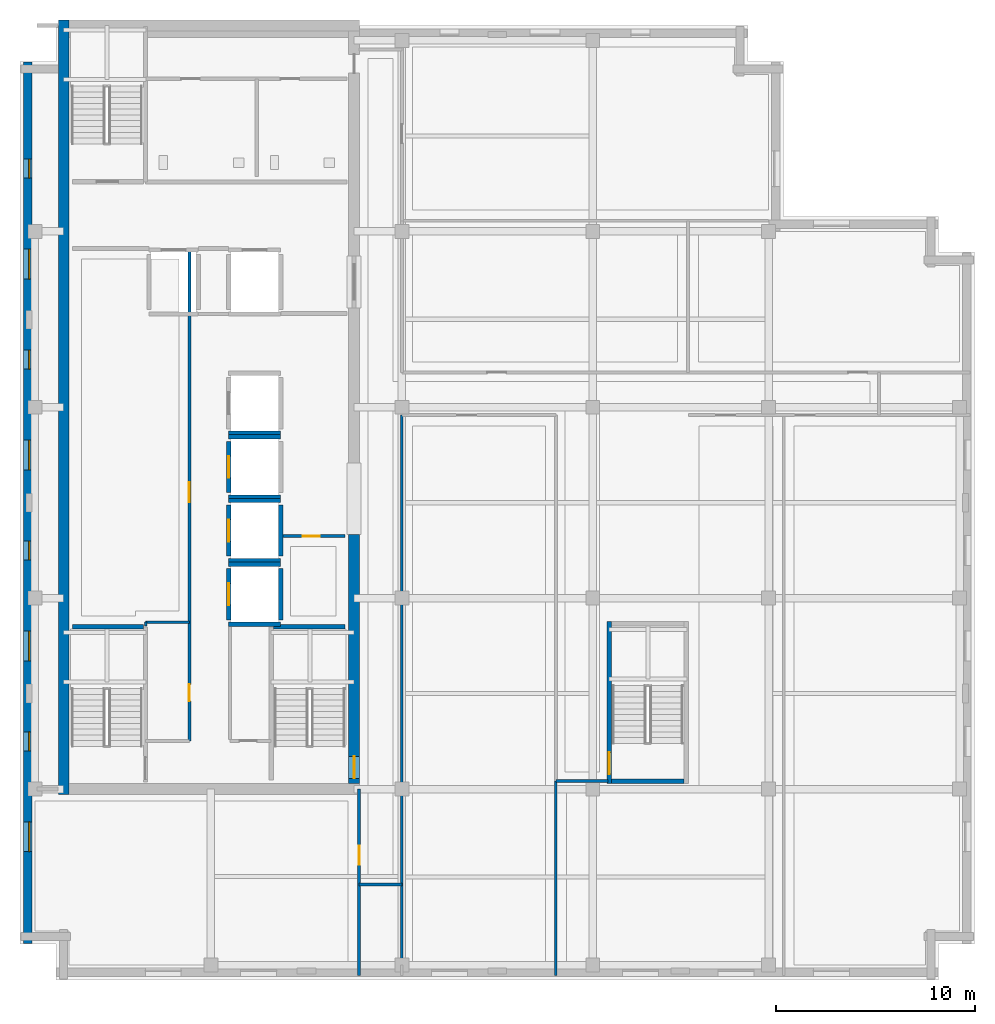
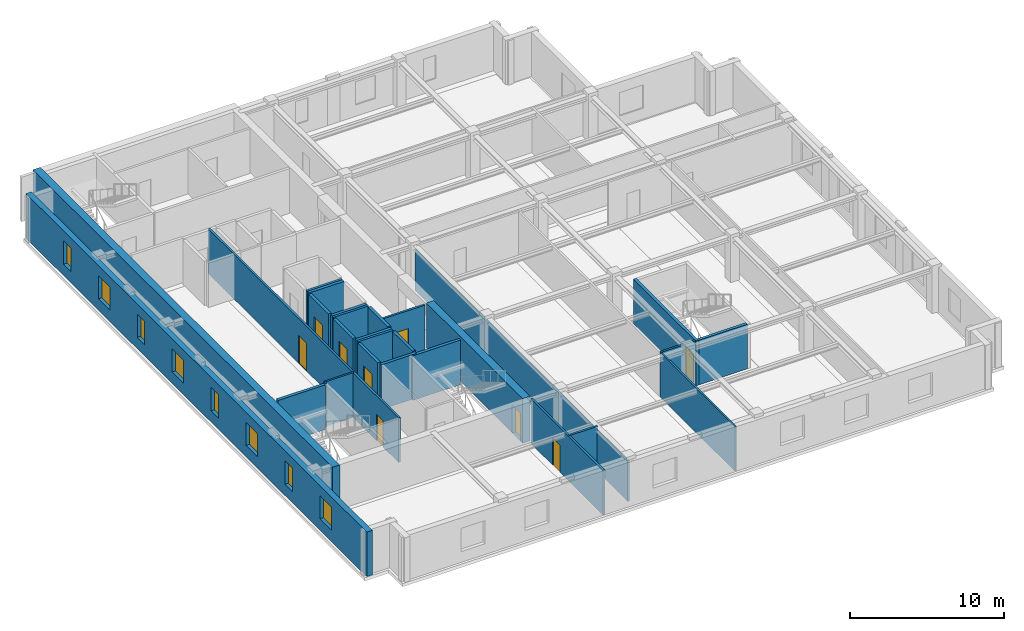
# One storey, part 3 of 10: 28 walls, 9 doors, 8 windows, 17 openings.
"""IFC4 building model written with IfcOpenShell, lengths in metres."""

import ifcopenshell
import ifcopenshell.guid

model = None  # the IFC model being written
_history = None  # IfcOwnerHistory: only IFC2X3 demands one
_inside = {}  # id of a spatial element -> (the spatial element, [elements in it])
_under = {}  # id of a project, library or spatial element -> (it, [spatial elements below it])
_declared = {}  # id of a project -> (the project, [libraries it declares])
_typed = {}  # id of a type object -> (the type object, [elements of that type])
_made_of = {}  # id of a material, layer set ... -> (it, [elements and type objects made of it])


def new_model(schema):
    """Start an empty IFC model of exactly this schema.

    Asked for "IFC4X3", IfcOpenShell would pick the latest addendum, in which some entities
    have other attributes; the version numbers below select the first issue.
    IFC2X3 requires an IfcOwnerHistory on every rooted entity: one is made here for all.
    """
    global model, _history
    if schema == "IFC4X3":
        model = ifcopenshell.file(schema_version=(4, 3, 0, 0))
    else:
        model = ifcopenshell.file(schema=schema)
    _inside.clear()
    _under.clear()
    _declared.clear()
    _typed.clear()
    _made_of.clear()
    _history = None
    if model.schema == "IFC2X3":
        org = make("IfcOrganization", Name="unknown")
        user = make(
            "IfcPersonAndOrganization",
            ThePerson=make("IfcPerson", FamilyName="unknown"),
            TheOrganization=org,
        )
        app = make(
            "IfcApplication",
            ApplicationDeveloper=org,
            Version="unknown",
            ApplicationFullName="unknown",
            ApplicationIdentifier="unknown",
        )
        _history = make(
            "IfcOwnerHistory",
            OwningUser=user,
            OwningApplication=app,
            ChangeAction="ADDED",
            CreationDate=0,
        )
    return model


def make(cls, **values):
    """One entity of the class cls with the attributes given. An attribute that is None is left unset."""
    return model.create_entity(
        cls, **{name: value for name, value in values.items() if value is not None}
    )


def rooted(cls, **values):
    """An entity with a GlobalId (a new one), such as an element, a storey or a relation."""
    return make(cls, GlobalId=ifcopenshell.guid.new(), OwnerHistory=_history, **values)


def si_unit(unit_type, name, prefix=None):
    """IfcSIUnit, for example si_unit("LENGTHUNIT", "METRE", prefix="MILLI")."""
    return make("IfcSIUnit", UnitType=unit_type, Prefix=prefix, Name=name)


def assignment(units):
    """IfcUnitAssignment: the units of a project."""
    return None if units is None else make("IfcUnitAssignment", Units=units)


def point(xyz):
    """IfcCartesianPoint."""
    return None if xyz is None else make("IfcCartesianPoint", Coordinates=xyz)


def direction(xyz):
    """IfcDirection."""
    return None if xyz is None else make("IfcDirection", DirectionRatios=xyz)


def frame(location, z_axis=None, x_axis=None):
    """IfcAxis2Placement3D, a coordinate frame: its origin and axes. An axis left out is left unset."""
    return make(
        "IfcAxis2Placement3D",
        Location=point(location),
        Axis=direction(z_axis),
        RefDirection=direction(x_axis),
    )


def frame_2d(location, x_axis=None):
    """IfcAxis2Placement2D, a coordinate frame in the plane: its origin and x axis."""
    return make(
        "IfcAxis2Placement2D", Location=point(location), RefDirection=direction(x_axis)
    )


def origin():
    """The frame at (0, 0, 0) with its axes left unset."""
    return frame((0.0, 0.0, 0.0))


def place(relative_to, where):
    """IfcLocalPlacement: puts the frame where relative to a parent placement (None: the world)."""
    return make(
        "IfcLocalPlacement", PlacementRelTo=relative_to, RelativePlacement=where
    )


def context(
    kind, dimensions, precision=None, world=None, true_north=None, identifier=None
):
    """IfcGeometricRepresentationContext, for example the 3D "Model" context."""
    return make(
        "IfcGeometricRepresentationContext",
        ContextIdentifier=identifier,
        ContextType=kind,
        CoordinateSpaceDimension=dimensions,
        Precision=precision,
        WorldCoordinateSystem=world,
        TrueNorth=true_north,
    )


def subcontext(parent, identifier, kind, view, scale=None):
    """IfcGeometricRepresentationSubContext, for example "Body" below "Model"."""
    return make(
        "IfcGeometricRepresentationSubContext",
        ContextIdentifier=identifier,
        ContextType=kind,
        ParentContext=parent,
        TargetScale=scale,
        TargetView=view,
    )


def project(units=None, contexts=None):
    """IfcProject with its units and contexts."""
    return rooted(
        "IfcProject",
        Name="project",
        RepresentationContexts=contexts,
        UnitsInContext=assignment(units),
    )


def spatial(cls, under=None, at=None, **own):
    """A site, building, storey or space (cls), placed at a placement, below another one or the project."""
    s = rooted(cls, ObjectPlacement=at, **own)
    if under is not None:
        _under.setdefault(under.id(), (under, []))[1].append(s)
    return s


def profile(cls, at=None, kind="AREA", **sizes):
    """A parametric profile (cls). Its sizes go by their IFC names, for example OverallWidth=200.0."""
    return make(cls, ProfileType=kind, Position=at, **sizes)


def rectangle(**sizes):
    """IfcRectangleProfileDef."""
    return profile("IfcRectangleProfileDef", **sizes)


def extrude(swept, where, along, depth):
    """IfcExtrudedAreaSolid: the profile swept, set in the frame where, extruded along a direction by depth."""
    return make(
        "IfcExtrudedAreaSolid",
        SweptArea=swept,
        Position=where,
        ExtrudedDirection=direction(along),
        Depth=depth,
    )


def shape(context_of_items, identifier, shape_type, items):
    """IfcShapeRepresentation: the items that make up one representation, for example the "Body"."""
    return make(
        "IfcShapeRepresentation",
        ContextOfItems=context_of_items,
        RepresentationIdentifier=identifier,
        RepresentationType=shape_type,
        Items=items,
    )


def material(Name=None, Category=None):
    """IfcMaterial."""
    return make("IfcMaterial", Name=Name, Category=Category)


def layer(
    of_material, thickness, ventilated=None, Name=None, Category=None, Priority=None
):
    """IfcMaterialLayer: one layer of a wall or slab, of a material (None: an air gap)."""
    return make(
        "IfcMaterialLayer",
        Material=of_material,
        LayerThickness=thickness,
        IsVentilated=ventilated,
        Name=Name,
        Category=Category,
        Priority=Priority,
    )


def layer_set(layers, Name=None):
    """IfcMaterialLayerSet."""
    return make("IfcMaterialLayerSet", MaterialLayers=layers, LayerSetName=Name)


def made_of(thing, what):
    """Note that an element or type object is made of a material, layer set ...; save() writes the relation."""
    if what is not None:
        _made_of.setdefault(what.id(), (what, []))[1].append(thing)
    return thing


def type_object(cls, material=None, **own):
    """A type object (cls), such as IfcWallType, which elements share."""
    return made_of(rooted(cls, **own), material)


def element(
    cls,
    number,
    at=None,
    inside=None,
    cuts=None,
    type_object=None,
    material=None,
    context=None,
    identifier="Body",
    shape_type=None,
    held_by="IfcProductDefinitionShape",
    body=None,
    shapes=None,
    **own,
):
    """One element of the class cls, such as IfcWall. Its Tag is "e" and its number.

    at: its placement. inside: the storey or other place that contains it. cuts: it is an
    opening in that element (IfcRelVoidsElement). A single representation is given by context,
    identifier, shape_type and body (its items); several are given by shapes. held_by: the class
    of the entity that holds the representations. save() writes the other relations.
    """
    e = rooted(cls, Tag="e%d" % number, ObjectPlacement=at, **own)
    if body is not None:
        shapes = [shape(context, identifier, shape_type, body)]
    if shapes is not None:
        e.Representation = make(held_by, Representations=shapes)
    if inside is not None:
        _inside.setdefault(inside.id(), (inside, []))[1].append(e)
    if cuts is not None:
        rooted(
            "IfcRelVoidsElement", RelatingBuildingElement=cuts, RelatedOpeningElement=e
        )
    if type_object is not None:
        _typed.setdefault(type_object.id(), (type_object, []))[1].append(e)
    return made_of(e, material)


def fill(opening, filler):
    """IfcRelFillsElement: the door or window that sits in an opening."""
    return rooted(
        "IfcRelFillsElement",
        RelatingOpeningElement=opening,
        RelatedBuildingElement=filler,
    )


def aggregate(whole, parts):
    """IfcRelAggregates: a whole, such as a stair, and the parts it consists of."""
    return rooted("IfcRelAggregates", RelatingObject=whole, RelatedObjects=parts)


def save(model, path):
    """Write the relations noted so far, then the file.

    IfcRelAggregates (storeys below a building ...), IfcRelContainedInSpatialStructure (elements
    in a storey), IfcRelDefinesByType, IfcRelAssociatesMaterial and IfcRelDeclares: one each for
    every whole, place, type object, material and project.
    """
    for whole, parts in _under.values():
        aggregate(whole, parts)
    for where, things in _inside.values():
        rooted(
            "IfcRelContainedInSpatialStructure",
            RelatedElements=things,
            RelatingStructure=where,
        )
    for kind, things in _typed.values():
        rooted("IfcRelDefinesByType", RelatedObjects=things, RelatingType=kind)
    for what, things in _made_of.values():
        rooted("IfcRelAssociatesMaterial", RelatedObjects=things, RelatingMaterial=what)
    for by, libraries in _declared.values():
        rooted("IfcRelDeclares", RelatingContext=by, RelatedDefinitions=libraries)
    model.write(path)


model = new_model("IFC4")

# Units and contexts
model_context = context("Model", 3, precision=1e-05, world=origin(), true_north=direction((0.0, 1.0)))
body_context = subcontext(model_context, "Body", "Model", "MODEL_VIEW")
ifc_project = project(units=[si_unit("LENGTHUNIT", "METRE"), si_unit("AREAUNIT", "SQUARE_METRE"), si_unit("VOLUMEUNIT", "CUBIC_METRE"), si_unit("PLANEANGLEUNIT", "RADIAN"), si_unit("MASSUNIT", "GRAM", prefix="KILO")], contexts=[model_context])

# Site, building, storey
site_placement = place(None, origin())
site = spatial("IfcSite", under=ifc_project, at=site_placement, CompositionType="ELEMENT")
building_placement = place(site_placement, origin())
building = spatial("IfcBuilding", under=site, at=building_placement, Name="Norrvale University Quadrangle", CompositionType="ELEMENT")
storey_placement = place(building_placement, frame((0.0, 0.0, 292.39990234375)))
storey = spatial("IfcBuildingStorey", under=building, at=storey_placement, Name="L74", CompositionType="ELEMENT", Elevation=292.39990234375)

# Wall, openings, windows
ifc_material_1 = material(Name="Buff Norman Clay Brick Masonry", Category="masonry")
ifc_layer_1 = layer(ifc_material_1, 0.419921875, Name="Buff Norman Clay Brick Masonry")
ifc_layer_set_1 = layer_set([ifc_layer_1], Name="Buff Norman Clay Brick Masonry")
wall_type_1 = type_object("IfcWallType", Name="Wall Buff Brick 420", PredefinedType="SOLIDWALL", material=ifc_layer_set_1)
wall_1_placement = place(storey_placement, frame((0.389892578125, 46.159912109375, 0.0), z_axis=(0.0, 0.0, 1.0), x_axis=(0.0, -1.0, 0.0)))
wall_1 = element("IfcWall", 1, at=wall_1_placement, inside=storey, type_object=wall_type_1, Name="Exterior Brick Facade Wall L74-14.1", PredefinedType="SOLIDWALL", context=body_context, shape_type="SweptSolid", body=[
    extrude(rectangle(XDim=44.31982421875, YDim=0.419921875, at=frame_2d((22.159912109375, 0.0))), origin(), (0.0, 0.0, 1.0), 3.5400390625),
])
opening_1_placement = place(wall_1_placement, frame((4.885009765625, 0.0, 0.89990234375)))
opening_1 = element("IfcOpeningElement", 2, at=opening_1_placement, cuts=wall_1, Name="Opening W04", PredefinedType="OPENING", context=body_context, shape_type="SweptSolid", body=[
    extrude(rectangle(XDim=0.949951171875, YDim=1.85009765625, at=frame_2d((0.47509765625, 0.925048828125))), frame((0.0, 0.221923828125, 0.0), z_axis=(0.0, -1.0, 0.0), x_axis=(1.0, 0.0, 0.0)), (0.0, 0.0, 1.0), 0.44384765625),
])
opening_2_placement = place(wall_1_placement, frame((9.409912109375, 0.0, 0.89990234375)))
opening_2 = element("IfcOpeningElement", 3, at=opening_2_placement, cuts=wall_1, Name="Opening W03", PredefinedType="OPENING", context=body_context, shape_type="SweptSolid", body=[
    extrude(rectangle(XDim=1.5, YDim=1.85009765625, at=frame_2d((0.75, 0.925048828125))), frame((0.0, 0.221923828125, 0.0), z_axis=(0.0, -1.0, 0.0), x_axis=(1.0, 0.0, 0.0)), (0.0, 0.0, 1.0), 0.44384765625),
])
opening_3_placement = place(wall_1_placement, frame((14.485107421875, 0.0, 0.89990234375)))
opening_3 = element("IfcOpeningElement", 4, at=opening_3_placement, cuts=wall_1, Name="Opening W04", PredefinedType="OPENING", context=body_context, shape_type="SweptSolid", body=[
    extrude(rectangle(XDim=0.949951171875, YDim=1.85009765625, at=frame_2d((0.47509765625, 0.925048828125))), frame((0.0, 0.221923828125, 0.0), z_axis=(0.0, -1.0, 0.0), x_axis=(1.0, 0.0, 0.0)), (0.0, 0.0, 1.0), 0.44384765625),
])
opening_4_placement = place(wall_1_placement, frame((19.010009765625, 0.0, 0.89990234375)))
opening_4 = element("IfcOpeningElement", 5, at=opening_4_placement, cuts=wall_1, Name="Opening W03", PredefinedType="OPENING", context=body_context, shape_type="SweptSolid", body=[
    extrude(rectangle(XDim=1.5, YDim=1.85009765625, at=frame_2d((0.75, 0.925048828125))), frame((0.0, 0.221923828125, 0.0), z_axis=(0.0, -1.0, 0.0), x_axis=(1.0, 0.0, 0.0)), (0.0, 0.0, 1.0), 0.44384765625),
])
opening_5_placement = place(wall_1_placement, frame((24.0849609375, 0.0, 0.89990234375)))
opening_5 = element("IfcOpeningElement", 6, at=opening_5_placement, cuts=wall_1, Name="Opening W04", PredefinedType="OPENING", context=body_context, shape_type="SweptSolid", body=[
    extrude(rectangle(XDim=0.949951171875, YDim=1.85009765625, at=frame_2d((0.47509765625, 0.925048828125))), frame((0.0, 0.221923828125, 0.0), z_axis=(0.0, -1.0, 0.0), x_axis=(1.0, 0.0, 0.0)), (0.0, 0.0, 1.0), 0.44384765625),
])
opening_6_placement = place(wall_1_placement, frame((28.610107421875, 0.0, 0.89990234375)))
opening_6 = element("IfcOpeningElement", 7, at=opening_6_placement, cuts=wall_1, Name="Opening W03", PredefinedType="OPENING", context=body_context, shape_type="SweptSolid", body=[
    extrude(rectangle(XDim=1.5, YDim=1.85009765625, at=frame_2d((0.75, 0.925048828125))), frame((0.0, 0.221923828125, 0.0), z_axis=(0.0, -1.0, 0.0), x_axis=(1.0, 0.0, 0.0)), (0.0, 0.0, 1.0), 0.44384765625),
])
opening_7_placement = place(wall_1_placement, frame((33.68505859375, 0.0, 0.89990234375)))
opening_7 = element("IfcOpeningElement", 8, at=opening_7_placement, cuts=wall_1, Name="Opening W04", PredefinedType="OPENING", context=body_context, shape_type="SweptSolid", body=[
    extrude(rectangle(XDim=0.949951171875, YDim=1.85009765625, at=frame_2d((0.47509765625, 0.925048828125))), frame((0.0, 0.221923828125, 0.0), z_axis=(0.0, -1.0, 0.0), x_axis=(1.0, 0.0, 0.0)), (0.0, 0.0, 1.0), 0.44384765625),
])
opening_8_placement = place(wall_1_placement, frame((38.2099609375, 0.0, 0.89990234375)))
opening_8 = element("IfcOpeningElement", 9, at=opening_8_placement, cuts=wall_1, Name="Opening W03", PredefinedType="OPENING", context=body_context, shape_type="SweptSolid", body=[
    extrude(rectangle(XDim=1.5, YDim=1.85009765625, at=frame_2d((0.75, 0.925048828125))), frame((0.0, 0.221923828125, 0.0), z_axis=(0.0, -1.0, 0.0), x_axis=(1.0, 0.0, 0.0)), (0.0, 0.0, 1.0), 0.44384765625),
])
ifc_material_2 = material(Name="Triple Low-E Argon Glazing", Category="glass")
window_type_1 = type_object("IfcWindowType", Name="Window Narrow Pier 950x2300", PartitioningType="SINGLE_PANEL", PredefinedType="WINDOW", material=ifc_material_2)
window_1_placement = place(opening_1_placement, origin())
window_1 = element("IfcWindow", 10, at=window_1_placement, inside=storey, type_object=window_type_1, Name="Window Narrow Pier 950x2300 WIN-L74-E14-1-01", OverallHeight=1.85009765625, OverallWidth=0.949951171875, PartitioningType="SINGLE_PANEL", PredefinedType="WINDOW", context=body_context, shape_type="SweptSolid", body=[
    extrude(rectangle(XDim=0.949951171875, YDim=1.85009765625, at=frame_2d((0.47509765625, 0.925048828125))), frame((0.0, 0.110107421875, 0.0), z_axis=(0.0, -1.0, 0.0), x_axis=(1.0, 0.0, 0.0)), (0.0, 0.0, 1.0), 0.06005859375),
])
fill(opening_1, window_1)
window_2_placement = place(opening_3_placement, origin())
window_2 = element("IfcWindow", 11, at=window_2_placement, inside=storey, type_object=window_type_1, Name="Window Narrow Pier 950x2300 WIN-L74-E14-1-03", OverallHeight=1.85009765625, OverallWidth=0.949951171875, PartitioningType="SINGLE_PANEL", PredefinedType="WINDOW", context=body_context, shape_type="SweptSolid", body=[
    extrude(rectangle(XDim=0.949951171875, YDim=1.85009765625, at=frame_2d((0.47509765625, 0.925048828125))), frame((0.0, 0.110107421875, 0.0), z_axis=(0.0, -1.0, 0.0), x_axis=(1.0, 0.0, 0.0)), (0.0, 0.0, 1.0), 0.06005859375),
])
fill(opening_3, window_2)
window_3_placement = place(opening_5_placement, origin())
window_3 = element("IfcWindow", 12, at=window_3_placement, inside=storey, type_object=window_type_1, Name="Window Narrow Pier 950x2300 WIN-L74-E14-1-05", OverallHeight=1.85009765625, OverallWidth=0.949951171875, PartitioningType="SINGLE_PANEL", PredefinedType="WINDOW", context=body_context, shape_type="SweptSolid", body=[
    extrude(rectangle(XDim=0.949951171875, YDim=1.85009765625, at=frame_2d((0.47509765625, 0.925048828125))), frame((0.0, 0.110107421875, 0.0), z_axis=(0.0, -1.0, 0.0), x_axis=(1.0, 0.0, 0.0)), (0.0, 0.0, 1.0), 0.06005859375),
])
fill(opening_5, window_3)
window_4_placement = place(opening_7_placement, origin())
window_4 = element("IfcWindow", 13, at=window_4_placement, inside=storey, type_object=window_type_1, Name="Window Narrow Pier 950x2300 WIN-L74-E14-1-07", OverallHeight=1.85009765625, OverallWidth=0.949951171875, PartitioningType="SINGLE_PANEL", PredefinedType="WINDOW", context=body_context, shape_type="SweptSolid", body=[
    extrude(rectangle(XDim=0.949951171875, YDim=1.85009765625, at=frame_2d((0.47509765625, 0.925048828125))), frame((0.0, 0.110107421875, 0.0), z_axis=(0.0, -1.0, 0.0), x_axis=(1.0, 0.0, 0.0)), (0.0, 0.0, 1.0), 0.06005859375),
])
fill(opening_7, window_4)
window_type_2 = type_object("IfcWindowType", Name="Window Studio 1500x2300", PartitioningType="DOUBLE_PANEL_VERTICAL", PredefinedType="WINDOW", material=ifc_material_2)
window_5_placement = place(opening_2_placement, origin())
window_5 = element("IfcWindow", 14, at=window_5_placement, inside=storey, type_object=window_type_2, Name="Window Studio 1500x2300 WIN-L74-E14-1-02", OverallHeight=1.85009765625, OverallWidth=1.5, PartitioningType="DOUBLE_PANEL_VERTICAL", PredefinedType="WINDOW", context=body_context, shape_type="SweptSolid", body=[
    extrude(rectangle(XDim=1.5, YDim=1.85009765625, at=frame_2d((0.75, 0.925048828125))), frame((0.0, 0.110107421875, 0.0), z_axis=(0.0, -1.0, 0.0), x_axis=(1.0, 0.0, 0.0)), (0.0, 0.0, 1.0), 0.06005859375),
])
fill(opening_2, window_5)
window_6_placement = place(opening_4_placement, origin())
window_6 = element("IfcWindow", 15, at=window_6_placement, inside=storey, type_object=window_type_2, Name="Window Studio 1500x2300 WIN-L74-E14-1-04", OverallHeight=1.85009765625, OverallWidth=1.5, PartitioningType="DOUBLE_PANEL_VERTICAL", PredefinedType="WINDOW", context=body_context, shape_type="SweptSolid", body=[
    extrude(rectangle(XDim=1.5, YDim=1.85009765625, at=frame_2d((0.75, 0.925048828125))), frame((0.0, 0.110107421875, 0.0), z_axis=(0.0, -1.0, 0.0), x_axis=(1.0, 0.0, 0.0)), (0.0, 0.0, 1.0), 0.06005859375),
])
fill(opening_4, window_6)
window_7_placement = place(opening_6_placement, origin())
window_7 = element("IfcWindow", 16, at=window_7_placement, inside=storey, type_object=window_type_2, Name="Window Studio 1500x2300 WIN-L74-E14-1-06", OverallHeight=1.85009765625, OverallWidth=1.5, PartitioningType="DOUBLE_PANEL_VERTICAL", PredefinedType="WINDOW", context=body_context, shape_type="SweptSolid", body=[
    extrude(rectangle(XDim=1.5, YDim=1.85009765625, at=frame_2d((0.75, 0.925048828125))), frame((0.0, 0.110107421875, 0.0), z_axis=(0.0, -1.0, 0.0), x_axis=(1.0, 0.0, 0.0)), (0.0, 0.0, 1.0), 0.06005859375),
])
fill(opening_6, window_7)
window_8_placement = place(opening_8_placement, origin())
window_8 = element("IfcWindow", 17, at=window_8_placement, inside=storey, type_object=window_type_2, Name="Window Studio 1500x2300 WIN-L74-E14-1-08", OverallHeight=1.85009765625, OverallWidth=1.5, PartitioningType="DOUBLE_PANEL_VERTICAL", PredefinedType="WINDOW", context=body_context, shape_type="SweptSolid", body=[
    extrude(rectangle(XDim=1.5, YDim=1.85009765625, at=frame_2d((0.75, 0.925048828125))), frame((0.0, 0.110107421875, 0.0), z_axis=(0.0, -1.0, 0.0), x_axis=(1.0, 0.0, 0.0)), (0.0, 0.0, 1.0), 0.06005859375),
])
fill(opening_8, window_8)

# Wall
ifc_material_3 = material(Name="Concrete C60/75", Category="concrete")
ifc_layer_2 = layer(ifc_material_3, 0.550048828125, Name="Concrete C60/75")
ifc_layer_set_2 = layer_set([ifc_layer_2], Name="Concrete C60/75")
wall_type_2 = type_object("IfcWallType", Name="Wall Core 550", PredefinedType="SHEAR", material=ifc_layer_set_2)
wall_2_placement = place(storey_placement, frame((2.199951171875, 9.324951171875, 0.0), z_axis=(0.0, 0.0, 1.0), x_axis=(0.0, 1.0, 0.0)))
element("IfcWall", 18, at=wall_2_placement, inside=storey, type_object=wall_type_2, Name="Tower Core Shear Wall L74-W", PredefinedType="SHEAR", context=body_context, shape_type="SweptSolid", body=[
    extrude(rectangle(XDim=38.949951171875, YDim=0.550048828125, at=frame_2d((19.47509765625, 0.0))), origin(), (0.0, 0.0, 1.0), 3.5400390625),
])

# Wall, opening, door
wall_3_placement = place(storey_placement, frame((16.800048828125, 9.875, 0.0), z_axis=(0.0, 0.0, 1.0), x_axis=(0.0, 1.0, 0.0)))
wall_3 = element("IfcWall", 19, at=wall_3_placement, inside=storey, type_object=wall_type_2, Name="Tower Core Shear Wall L74-E1", PredefinedType="SHEAR", context=body_context, shape_type="SweptSolid", body=[
    extrude(rectangle(XDim=12.52490234375, YDim=0.550048828125, at=frame_2d((6.262451171875, 0.0))), origin(), (0.0, 0.0, 1.0), 3.5400390625),
])
opening_9_placement = place(wall_3_placement, frame((0.264892578125, 0.0, 0.0)))
opening_9 = element("IfcOpeningElement", 20, at=opening_9_placement, cuts=wall_3, Name="Opening D02", PredefinedType="OPENING", context=body_context, shape_type="SweptSolid", body=[
    extrude(rectangle(XDim=1.10009765625, YDim=2.199951171875, at=frame_2d((0.550048828125, 1.10009765625))), frame((0.0, 0.287109375, 0.0), z_axis=(0.0, -1.0, 0.0), x_axis=(1.0, 0.0, 0.0)), (0.0, 0.0, 1.0), 0.573974609375),
])
ifc_material_4 = material(Name="Hollow Steel 350W Fire Door", Category="steel")
door_type_1 = type_object("IfcDoorType", Name="Door Stair Exit 1100x2200", OperationType="NOTDEFINED", PredefinedType="DOOR", material=ifc_material_4)
door_1_placement = place(opening_9_placement, origin())
door_1 = element("IfcDoor", 21, at=door_1_placement, inside=storey, type_object=door_type_1, Name="Door Stair Exit 1100x2200 DR-L74-ST03", OperationType="SINGLE_SWING_LEFT", OverallHeight=2.199951171875, OverallWidth=1.10009765625, PredefinedType="DOOR", context=body_context, shape_type="SweptSolid", body=[
    extrude(rectangle(XDim=1.10009765625, YDim=2.199951171875, at=frame_2d((0.550048828125, 1.10009765625))), frame((0.0, 0.02490234375, 0.0), z_axis=(0.0, -1.0, 0.0), x_axis=(1.0, 0.0, 0.0)), (0.0, 0.0, 1.0), 0.050048828125),
])
fill(opening_9, door_1)

# Walls
ifc_material_5 = material(Name="Standard Academic Gypsum Partition")
ifc_layer_3 = layer(ifc_material_5, 0.125, Name="Standard Academic Gypsum Partition")
ifc_layer_set_3 = layer_set([ifc_layer_3], Name="Standard Academic Gypsum Partition")
wall_type_3 = type_object("IfcWallType", Name="Wall Gypsum Academic 125", PredefinedType="PARTITIONING", material=ifc_layer_set_3)
wall_4_placement = place(storey_placement, frame((6.320068359375, 17.800048828125, 0.0), z_axis=(0.0, 0.0, 1.0), x_axis=(0.0, 1.0, 0.0)))
element("IfcWall", 22, at=wall_4_placement, inside=storey, type_object=wall_type_3, Name="Interior Partition WL-L74-REC-L1", PredefinedType="PARTITIONING", context=body_context, shape_type="SweptSolid", body=[
    extrude(rectangle(XDim=0.199951171875, YDim=0.125, at=frame_2d((0.10009765625, 0.0))), origin(), (0.0, 0.0, 1.0), 3.5400390625),
])
wall_5_placement = place(storey_placement, frame((6.320068359375, 18.0, 0.0), z_axis=(0.0, 0.0, 1.0), x_axis=(1.0, 0.0, 0.0)))
element("IfcWall", 23, at=wall_5_placement, inside=storey, type_object=wall_type_3, Name="Interior Partition WL-L74-REC-L2", PredefinedType="PARTITIONING", context=body_context, shape_type="SweptSolid", body=[
    extrude(rectangle(XDim=2.199951171875, YDim=0.125, at=frame_2d((1.10009765625, 0.0))), origin(), (0.0, 0.0, 1.0), 3.5400390625),
])
wall_6_placement = place(storey_placement, frame((19.199951171875, 0.75, 0.0), z_axis=(0.0, 0.0, 1.0), x_axis=(0.0, 1.0, 0.0)))
element("IfcWall", 24, at=wall_6_placement, inside=storey, type_object=wall_type_3, Name="Interior Partition WL-L74-SE-W0-B2", PredefinedType="PARTITIONING", context=body_context, shape_type="SweptSolid", body=[
    extrude(rectangle(XDim=27.64990234375, YDim=0.125, at=frame_2d((13.824951171875, 0.0))), origin(), (0.0, 0.0, 1.0), 3.18408203125),
])
wall_7_placement = place(storey_placement, frame((26.949951171875, 0.219970703125, 0.0), z_axis=(0.0, 0.0, 1.0), x_axis=(0.0, 1.0, 0.0)))
element("IfcWall", 25, at=wall_7_placement, inside=storey, type_object=wall_type_3, Name="Interior Partition WL-L74-SEP1A", PredefinedType="PARTITIONING", context=body_context, shape_type="SweptSolid", body=[
    extrude(rectangle(XDim=9.780029296875, YDim=0.125, at=frame_2d((4.89013671875, 0.0))), origin(), (0.0, 0.0, 1.0), 3.5400390625),
])

# Wall, opening, door
ifc_material_6 = material(Name="Fire-Rated Gypsum Stud Partition")
ifc_layer_4 = layer(ifc_material_6, 0.14990234375, Name="Fire-Rated Gypsum Stud Partition")
ifc_layer_set_4 = layer_set([ifc_layer_4], Name="Fire-Rated Gypsum Stud Partition")
wall_type_4 = type_object("IfcWallType", Name="Wall Gypsum Corridor 150", PredefinedType="PARTITIONING", material=ifc_layer_set_4)
wall_8_placement = place(storey_placement, frame((13.22509765625, 22.320068359375, 0.0), z_axis=(0.0, 0.0, 1.0), x_axis=(1.0, 0.0, 0.0)))
wall_8 = element("IfcWall", 26, at=wall_8_placement, inside=storey, type_object=wall_type_4, Name="Interior Partition WL-L74-JAN-N", PredefinedType="PARTITIONING", context=body_context, shape_type="SweptSolid", body=[
    extrude(rectangle(XDim=3.119873046875, YDim=0.14990234375, at=frame_2d((1.56005859375, 0.0))), origin(), (0.0, 0.0, 1.0), 3.5400390625),
])
opening_10_placement = place(wall_8_placement, frame((1.0, 0.0, 0.0)))
opening_10 = element("IfcOpeningElement", 27, at=opening_10_placement, cuts=wall_8, Name="Opening D10", PredefinedType="OPENING", context=body_context, shape_type="SweptSolid", body=[
    extrude(rectangle(XDim=0.85009765625, YDim=2.10009765625, at=frame_2d((0.425048828125, 1.050048828125))), frame((0.0, 0.0869140625, 0.0), z_axis=(0.0, -1.0, 0.0), x_axis=(1.0, 0.0, 0.0)), (0.0, 0.0, 1.0), 0.173828125),
])
ifc_material_7 = material(Name="Hollow Steel 350W Riser Fire Door", Category="steel")
door_type_2 = type_object("IfcDoorType", Name="Door Riser 850x2100", OperationType="NOTDEFINED", PredefinedType="DOOR", material=ifc_material_7)
door_2_placement = place(opening_10_placement, origin())
door_2 = element("IfcDoor", 28, at=door_2_placement, inside=storey, type_object=door_type_2, Name="Door Riser 850x2100 DR-L74-JAN", OperationType="SINGLE_SWING_LEFT", OverallHeight=2.10009765625, OverallWidth=0.85009765625, PredefinedType="DOOR", context=body_context, shape_type="SweptSolid", body=[
    extrude(rectangle(XDim=0.85009765625, YDim=2.10009765625, at=frame_2d((0.425048828125, 1.050048828125))), frame((0.0, 0.02490234375, 0.0), z_axis=(0.0, -1.0, 0.0), x_axis=(1.0, 0.0, 0.0)), (0.0, 0.0, 1.0), 0.050048828125),
])
fill(opening_10, door_2)

# Wall, openings, doors
wall_9_placement = place(storey_placement, frame((8.52001953125, 12.02001953125, 0.0), z_axis=(0.0, 0.0, 1.0), x_axis=(0.0, 1.0, 0.0)))
wall_9 = element("IfcWall", 29, at=wall_9_placement, inside=storey, type_object=wall_type_4, Name="Interior Partition WL-L74-REC-E", PredefinedType="PARTITIONING", context=body_context, shape_type="SweptSolid", body=[
    extrude(rectangle(XDim=24.760009765625, YDim=0.14990234375, at=frame_2d((12.3798828125, 0.0))), origin(), (0.0, 0.0, 1.0), 3.5400390625),
])
opening_11_placement = place(wall_9_placement, frame((2.0, 0.0, 0.0)))
opening_11 = element("IfcOpeningElement", 30, at=opening_11_placement, cuts=wall_9, Name="Opening D10", PredefinedType="OPENING", context=body_context, shape_type="SweptSolid", body=[
    extrude(rectangle(XDim=0.85009765625, YDim=2.10009765625, at=frame_2d((0.425048828125, 1.050048828125))), frame((0.0, 0.0869140625, 0.0), z_axis=(0.0, -1.0, 0.0), x_axis=(1.0, 0.0, 0.0)), (0.0, 0.0, 1.0), 0.173828125),
])
opening_12_placement = place(wall_9_placement, frame((12.0, 0.0, 0.0)))
opening_12 = element("IfcOpeningElement", 31, at=opening_12_placement, cuts=wall_9, Name="Opening D04", PredefinedType="OPENING", context=body_context, shape_type="SweptSolid", body=[
    extrude(rectangle(XDim=1.0, YDim=2.199951171875, at=frame_2d((0.5, 1.10009765625))), frame((0.0, 0.0869140625, 0.0), z_axis=(0.0, -1.0, 0.0), x_axis=(1.0, 0.0, 0.0)), (0.0, 0.0, 1.0), 0.173828125),
])
ifc_material_8 = material(Name="Solid-Core Oak Fire Door", Category="wood")
door_type_3 = type_object("IfcDoorType", Name="Door Corridor 1000x2200", OperationType="NOTDEFINED", PredefinedType="DOOR", material=ifc_material_8)
door_3_placement = place(opening_12_placement, origin())
door_3 = element("IfcDoor", 32, at=door_3_placement, inside=storey, type_object=door_type_3, Name="Door Corridor 1000x2200 DR-L74-REC2", OperationType="SINGLE_SWING_RIGHT", OverallHeight=2.199951171875, OverallWidth=1.0, PredefinedType="DOOR", context=body_context, shape_type="SweptSolid", body=[
    extrude(rectangle(XDim=1.0, YDim=2.199951171875, at=frame_2d((0.5, 1.10009765625))), frame((0.0, 0.02490234375, 0.0), z_axis=(0.0, -1.0, 0.0), x_axis=(1.0, 0.0, 0.0)), (0.0, 0.0, 1.0), 0.050048828125),
])
fill(opening_12, door_3)
door_4_placement = place(opening_11_placement, origin())
door_4 = element("IfcDoor", 33, at=door_4_placement, inside=storey, type_object=door_type_2, Name="Door Riser 850x2100 DR-L74-REC1", OperationType="SINGLE_SWING_LEFT", OverallHeight=2.10009765625, OverallWidth=0.85009765625, PredefinedType="DOOR", context=body_context, shape_type="SweptSolid", body=[
    extrude(rectangle(XDim=0.85009765625, YDim=2.10009765625, at=frame_2d((0.425048828125, 1.050048828125))), frame((0.0, 0.02490234375, 0.0), z_axis=(0.0, -1.0, 0.0), x_axis=(1.0, 0.0, 0.0)), (0.0, 0.0, 1.0), 0.050048828125),
])
fill(opening_11, door_4)

# Wall
wall_10_placement = place(storey_placement, frame((17.050048828125, 4.800048828125, 0.0), z_axis=(0.0, 0.0, 1.0), x_axis=(1.0, 0.0, 0.0)))
element("IfcWall", 34, at=wall_10_placement, inside=storey, type_object=wall_type_4, Name="Interior Partition WL-L74-CSP-S", PredefinedType="PARTITIONING", context=body_context, shape_type="SweptSolid", body=[
    extrude(rectangle(XDim=2.14990234375, YDim=0.14990234375, at=frame_2d((1.074951171875, 0.0))), origin(), (0.0, 0.0, 1.0), 3.5400390625),
])

# Wall, opening, door
wall_11_placement = place(storey_placement, frame((17.050048828125, 0.219970703125, 0.0), z_axis=(0.0, 0.0, 1.0), x_axis=(0.0, 1.0, 0.0)))
wall_11 = element("IfcWall", 35, at=wall_11_placement, inside=storey, type_object=wall_type_4, Name="Interior Partition WL-L74-SW-E", PredefinedType="PARTITIONING", context=body_context, shape_type="SweptSolid", body=[
    extrude(rectangle(XDim=9.380126953125, YDim=0.14990234375, at=frame_2d((4.68994140625, 0.0))), origin(), (0.0, 0.0, 1.0), 3.5400390625),
])
opening_13_placement = place(wall_11_placement, frame((5.580078125, 0.0, 0.0)))
opening_13 = element("IfcOpeningElement", 36, at=opening_13_placement, cuts=wall_11, Name="Opening D07", PredefinedType="OPENING", context=body_context, shape_type="SweptSolid", body=[
    extrude(rectangle(XDim=0.949951171875, YDim=2.14990234375, at=frame_2d((0.47509765625, 1.074951171875))), frame((0.0, 0.0869140625, 0.0), z_axis=(0.0, -1.0, 0.0), x_axis=(1.0, 0.0, 0.0)), (0.0, 0.0, 1.0), 0.173828125),
])
ifc_material_9 = material(Name="Solid-Core Maple Door", Category="wood")
door_type_4 = type_object("IfcDoorType", Name="Door Office 950x2150", OperationType="NOTDEFINED", PredefinedType="DOOR", material=ifc_material_9)
door_5_placement = place(opening_13_placement, origin())
door_5 = element("IfcDoor", 37, at=door_5_placement, inside=storey, type_object=door_type_4, Name="Door Office 950x2150 DR-L74-SW1", OperationType="SINGLE_SWING_LEFT", OverallHeight=2.14990234375, OverallWidth=0.949951171875, PredefinedType="DOOR", context=body_context, shape_type="SweptSolid", body=[
    extrude(rectangle(XDim=0.949951171875, YDim=2.14990234375, at=frame_2d((0.47509765625, 1.074951171875))), frame((0.0, 0.02490234375, 0.0), z_axis=(0.0, -1.0, 0.0), x_axis=(1.0, 0.0, 0.0)), (0.0, 0.0, 1.0), 0.050048828125),
])
fill(opening_13, door_5)

# Walls
wall_12_placement = place(storey_placement, frame((26.949951171875, 10.0, 0.0), z_axis=(0.0, 0.0, 1.0), x_axis=(1.0, 0.0, 0.0)))
element("IfcWall", 38, at=wall_12_placement, inside=storey, type_object=wall_type_4, Name="Interior Partition WL-L74-SEP1C", PredefinedType="PARTITIONING", context=body_context, shape_type="SweptSolid", body=[
    extrude(rectangle(XDim=2.630126953125, YDim=0.14990234375, at=frame_2d((1.31494140625, 0.0))), origin(), (0.0, 0.0, 1.0), 3.5400390625),
])
ifc_material_10 = material(Name="Concrete Blockwork 20 MPa Fire Shaft", Category="masonry")
ifc_layer_5 = layer(ifc_material_10, 0.219970703125, Name="Concrete Blockwork 20 MPa Fire Shaft")
ifc_layer_set_5 = layer_set([ifc_layer_5], Name="Concrete Blockwork 20 MPa Fire Shaft")
wall_type_5 = type_object("IfcWallType", Name="Wall Shaft 220", PredefinedType="SOLIDWALL", material=ifc_layer_set_5)
wall_13_placement = place(storey_placement, frame((2.64990234375, 17.760009765625, 0.0), z_axis=(0.0, 0.0, 1.0), x_axis=(1.0, 0.0, 0.0)))
element("IfcWall", 39, at=wall_13_placement, inside=storey, type_object=wall_type_5, Name="Stair ST-01 North Shaft Wall L74", PredefinedType="SOLIDWALL", context=body_context, shape_type="SweptSolid", body=[
    extrude(rectangle(XDim=3.550048828125, YDim=0.219970703125, at=frame_2d((1.77490234375, 0.0))), origin(), (0.0, 0.0, 1.0), 3.5400390625),
])
wall_14_placement = place(storey_placement, frame((12.75, 17.760009765625, 0.0), z_axis=(0.0, 0.0, 1.0), x_axis=(1.0, 0.0, 0.0)))
element("IfcWall", 40, at=wall_14_placement, inside=storey, type_object=wall_type_5, Name="Stair ST-03 North Shaft Wall L74", PredefinedType="SOLIDWALL", context=body_context, shape_type="SweptSolid", body=[
    extrude(rectangle(XDim=3.60009765625, YDim=0.219970703125, at=frame_2d((1.800048828125, 0.0))), origin(), (0.0, 0.0, 1.0), 3.5400390625),
])
wall_15_placement = place(storey_placement, frame((29.75, 9.989990234375, 0.0), z_axis=(0.0, 0.0, 1.0), x_axis=(1.0, 0.0, 0.0)))
element("IfcWall", 41, at=wall_15_placement, inside=storey, type_object=wall_type_5, Name="Stair ST-04 South Shaft Wall L74", PredefinedType="SOLIDWALL", context=body_context, shape_type="SweptSolid", body=[
    extrude(rectangle(XDim=3.64990234375, YDim=0.219970703125, at=frame_2d((1.824951171875, 0.0))), origin(), (0.0, 0.0, 1.0), 3.5400390625),
])

# Wall, opening, door
wall_16_placement = place(storey_placement, frame((29.639892578125, 9.8798828125, 0.0), z_axis=(0.0, 0.0, 1.0), x_axis=(0.0, 1.0, 0.0)))
wall_16 = element("IfcWall", 42, at=wall_16_placement, inside=storey, type_object=wall_type_5, Name="Stair ST-04 West Shaft Wall L74", PredefinedType="SOLIDWALL", context=body_context, shape_type="SweptSolid", body=[
    extrude(rectangle(XDim=8.14013671875, YDim=0.219970703125, at=frame_2d((4.070068359375, 0.0))), origin(), (0.0, 0.0, 1.0), 3.5400390625),
])
opening_14_placement = place(wall_16_placement, frame((0.469970703125, 0.0, 0.0)))
opening_14 = element("IfcOpeningElement", 43, at=opening_14_placement, cuts=wall_16, Name="Opening D02", PredefinedType="OPENING", context=body_context, shape_type="SweptSolid", body=[
    extrude(rectangle(XDim=1.10009765625, YDim=2.199951171875, at=frame_2d((0.550048828125, 1.10009765625))), frame((0.0, 0.1220703125, 0.0), z_axis=(0.0, -1.0, 0.0), x_axis=(1.0, 0.0, 0.0)), (0.0, 0.0, 1.0), 0.243896484375),
])
door_6_placement = place(opening_14_placement, frame((1.10009765625, 0.0, 0.0), z_axis=(0.0, 0.0, 1.0), x_axis=(-1.0, 0.0, 0.0)))
door_6 = element("IfcDoor", 44, at=door_6_placement, inside=storey, type_object=door_type_1, Name="Door Stair Exit 1100x2200 DR-L74-ST04", OperationType="SINGLE_SWING_RIGHT", OverallHeight=2.199951171875, OverallWidth=1.10009765625, PredefinedType="DOOR", context=body_context, shape_type="SweptSolid", body=[
    extrude(rectangle(XDim=1.10009765625, YDim=2.199951171875, at=frame_2d((0.550048828125, 1.10009765625))), frame((0.0, 0.02490234375, 0.0), z_axis=(0.0, -1.0, 0.0), x_axis=(1.0, 0.0, 0.0)), (0.0, 0.0, 1.0), 0.050048828125),
])
fill(opening_14, door_6)

wall_17_placement = place(storey_placement, frame((10.489990234375, 18.110107421875, 0.0), z_axis=(0.0, 0.0, 1.0), x_axis=(0.0, 1.0, 0.0)))
wall_17 = element("IfcWall", 45, at=wall_17_placement, inside=storey, type_object=wall_type_5, Name="Hoistway PL-05 West Wall L74", PredefinedType="SOLIDWALL", context=body_context, shape_type="SweptSolid", body=[
    extrude(rectangle(XDim=2.579833984375, YDim=0.219970703125, at=frame_2d((1.2900390625, 0.0))), origin(), (0.0, 0.0, 1.0), 3.5400390625),
])
opening_15_placement = place(wall_17_placement, frame((0.739990234375, 0.0, 0.0)))
opening_15 = element("IfcOpeningElement", 46, at=opening_15_placement, cuts=wall_17, Name="Opening LD1", PredefinedType="OPENING", context=body_context, shape_type="SweptSolid", body=[
    extrude(rectangle(XDim=1.10009765625, YDim=2.199951171875, at=frame_2d((0.550048828125, 1.10009765625))), frame((0.0, 0.1220703125, 0.0), z_axis=(0.0, -1.0, 0.0), x_axis=(1.0, 0.0, 0.0)), (0.0, 0.0, 1.0), 0.243896484375),
])
ifc_material_11 = material(Name="Stainless Steel 316L Lift Landing Door", Category="steel")
door_type_5 = type_object("IfcDoorType", Name="Door Lift Landing 1100x2200", OperationType="DOUBLE_DOOR_SLIDING", PredefinedType="DOOR", material=ifc_material_11)
door_7_placement = place(opening_15_placement, origin())
door_7 = element("IfcDoor", 47, at=door_7_placement, inside=storey, type_object=door_type_5, Name="Elevator Landing Door DR-L74-PL-05", OperationType="DOUBLE_DOOR_SLIDING", OverallHeight=2.199951171875, OverallWidth=1.10009765625, PredefinedType="DOOR", context=body_context, shape_type="SweptSolid", body=[
    extrude(rectangle(XDim=1.10009765625, YDim=2.199951171875, at=frame_2d((0.550048828125, 1.10009765625))), frame((0.0, 0.02490234375, 0.0), z_axis=(0.0, -1.0, 0.0), x_axis=(1.0, 0.0, 0.0)), (0.0, 0.0, 1.0), 0.050048828125),
])
fill(opening_15, door_7)

# Walls
wall_18_placement = place(storey_placement, frame((13.110107421875, 18.110107421875, 0.0), z_axis=(0.0, 0.0, 1.0), x_axis=(0.0, 1.0, 0.0)))
element("IfcWall", 48, at=wall_18_placement, inside=storey, type_object=wall_type_5, Name="Hoistway PL-05 East Wall L74", PredefinedType="SOLIDWALL", context=body_context, shape_type="SweptSolid", body=[
    extrude(rectangle(XDim=2.579833984375, YDim=0.219970703125, at=frame_2d((1.2900390625, 0.0))), origin(), (0.0, 0.0, 1.0), 3.5400390625),
])
for number, where, z_axis, x_axis, name in (
    (49, (10.489990234375, 17.889892578125, 0.0), (0.0, 0.0, 1.0), (1.0, 0.0, 0.0), "Hoistway PL-05 South Wall L74"),
    (50, (10.489990234375, 20.909912109375, 0.0), (0.0, 0.0, 1.0), (1.0, 0.0, 0.0), "Hoistway PL-05 North Wall L74"),
):
    element("IfcWall", number, at=place(storey_placement, frame(where, z_axis=z_axis, x_axis=x_axis)), inside=storey, type_object=wall_type_5, Name=name, PredefinedType="SOLIDWALL", context=body_context, shape_type="SweptSolid", body=[
        extrude(rectangle(XDim=2.6201171875, YDim=0.219970703125, at=frame_2d((1.31005859375, 0.0))), origin(), (0.0, 0.0, 1.0), 3.5400390625),
    ])

# Wall, opening, door
wall_19_placement = place(storey_placement, frame((10.489990234375, 21.31005859375, 0.0), z_axis=(0.0, 0.0, 1.0), x_axis=(0.0, 1.0, 0.0)))
wall_19 = element("IfcWall", 51, at=wall_19_placement, inside=storey, type_object=wall_type_5, Name="Hoistway PL-06 West Wall L74", PredefinedType="SOLIDWALL", context=body_context, shape_type="SweptSolid", body=[
    extrude(rectangle(XDim=2.579833984375, YDim=0.219970703125, at=frame_2d((1.2900390625, 0.0))), origin(), (0.0, 0.0, 1.0), 3.5400390625),
])
opening_16_placement = place(wall_19_placement, frame((0.739990234375, 0.0, 0.0)))
opening_16 = element("IfcOpeningElement", 52, at=opening_16_placement, cuts=wall_19, Name="Opening LD1", PredefinedType="OPENING", context=body_context, shape_type="SweptSolid", body=[
    extrude(rectangle(XDim=1.10009765625, YDim=2.199951171875, at=frame_2d((0.550048828125, 1.10009765625))), frame((0.0, 0.1220703125, 0.0), z_axis=(0.0, -1.0, 0.0), x_axis=(1.0, 0.0, 0.0)), (0.0, 0.0, 1.0), 0.243896484375),
])
door_8_placement = place(opening_16_placement, origin())
door_8 = element("IfcDoor", 53, at=door_8_placement, inside=storey, type_object=door_type_5, Name="Elevator Landing Door DR-L74-PL-06", OperationType="DOUBLE_DOOR_SLIDING", OverallHeight=2.199951171875, OverallWidth=1.10009765625, PredefinedType="DOOR", context=body_context, shape_type="SweptSolid", body=[
    extrude(rectangle(XDim=1.10009765625, YDim=2.199951171875, at=frame_2d((0.550048828125, 1.10009765625))), frame((0.0, 0.02490234375, 0.0), z_axis=(0.0, -1.0, 0.0), x_axis=(1.0, 0.0, 0.0)), (0.0, 0.0, 1.0), 0.050048828125),
])
fill(opening_16, door_8)

# Walls
wall_20_placement = place(storey_placement, frame((13.110107421875, 21.31005859375, 0.0), z_axis=(0.0, 0.0, 1.0), x_axis=(0.0, 1.0, 0.0)))
element("IfcWall", 54, at=wall_20_placement, inside=storey, type_object=wall_type_5, Name="Hoistway PL-06 East Wall L74", PredefinedType="SOLIDWALL", context=body_context, shape_type="SweptSolid", body=[
    extrude(rectangle(XDim=2.579833984375, YDim=0.219970703125, at=frame_2d((1.2900390625, 0.0))), origin(), (0.0, 0.0, 1.0), 3.5400390625),
])
for number, where, z_axis, x_axis, name in (
    (55, (10.489990234375, 21.090087890625, 0.0), (0.0, 0.0, 1.0), (1.0, 0.0, 0.0), "Hoistway PL-06 South Wall L74"),
    (56, (10.489990234375, 24.110107421875, 0.0), (0.0, 0.0, 1.0), (1.0, 0.0, 0.0), "Hoistway PL-06 North Wall L74"),
):
    element("IfcWall", number, at=place(storey_placement, frame(where, z_axis=z_axis, x_axis=x_axis)), inside=storey, type_object=wall_type_5, Name=name, PredefinedType="SOLIDWALL", context=body_context, shape_type="SweptSolid", body=[
        extrude(rectangle(XDim=2.6201171875, YDim=0.219970703125, at=frame_2d((1.31005859375, 0.0))), origin(), (0.0, 0.0, 1.0), 3.5400390625),
    ])

# Wall, opening, door
wall_21_placement = place(storey_placement, frame((10.489990234375, 24.510009765625, 0.0), z_axis=(0.0, 0.0, 1.0), x_axis=(0.0, 1.0, 0.0)))
wall_21 = element("IfcWall", 57, at=wall_21_placement, inside=storey, type_object=wall_type_5, Name="Hoistway PL-07 West Wall L74", PredefinedType="SOLIDWALL", context=body_context, shape_type="SweptSolid", body=[
    extrude(rectangle(XDim=2.580078125, YDim=0.219970703125, at=frame_2d((1.2900390625, 0.0))), origin(), (0.0, 0.0, 1.0), 3.5400390625),
])
opening_17_placement = place(wall_21_placement, frame((0.739990234375, 0.0, 0.0)))
opening_17 = element("IfcOpeningElement", 58, at=opening_17_placement, cuts=wall_21, Name="Opening LD1", PredefinedType="OPENING", context=body_context, shape_type="SweptSolid", body=[
    extrude(rectangle(XDim=1.10009765625, YDim=2.199951171875, at=frame_2d((0.550048828125, 1.10009765625))), frame((0.0, 0.1220703125, 0.0), z_axis=(0.0, -1.0, 0.0), x_axis=(1.0, 0.0, 0.0)), (0.0, 0.0, 1.0), 0.243896484375),
])
door_9_placement = place(opening_17_placement, origin())
door_9 = element("IfcDoor", 59, at=door_9_placement, inside=storey, type_object=door_type_5, Name="Elevator Landing Door DR-L74-PL-07", OperationType="DOUBLE_DOOR_SLIDING", OverallHeight=2.199951171875, OverallWidth=1.10009765625, PredefinedType="DOOR", context=body_context, shape_type="SweptSolid", body=[
    extrude(rectangle(XDim=1.10009765625, YDim=2.199951171875, at=frame_2d((0.550048828125, 1.10009765625))), frame((0.0, 0.02490234375, 0.0), z_axis=(0.0, -1.0, 0.0), x_axis=(1.0, 0.0, 0.0)), (0.0, 0.0, 1.0), 0.050048828125),
])
fill(opening_17, door_9)

# Walls
for number, where, z_axis, x_axis, name in (
    (60, (10.489990234375, 24.2900390625, 0.0), (0.0, 0.0, 1.0), (1.0, 0.0, 0.0), "Hoistway PL-07 South Wall L74"),
    (61, (10.489990234375, 27.31005859375, 0.0), (0.0, 0.0, 1.0), (1.0, 0.0, 0.0), "Hoistway PL-07 North Wall L74"),
    (62, (10.489990234375, 27.489990234375, 0.0), (0.0, 0.0, 1.0), (1.0, 0.0, 0.0), "Hoistway PL-08 South Wall L74"),
):
    element("IfcWall", number, at=place(storey_placement, frame(where, z_axis=z_axis, x_axis=x_axis)), inside=storey, type_object=wall_type_5, Name=name, PredefinedType="SOLIDWALL", context=body_context, shape_type="SweptSolid", body=[
        extrude(rectangle(XDim=2.6201171875, YDim=0.219970703125, at=frame_2d((1.31005859375, 0.0))), origin(), (0.0, 0.0, 1.0), 3.5400390625),
    ])

save(model, "model.ifc")
